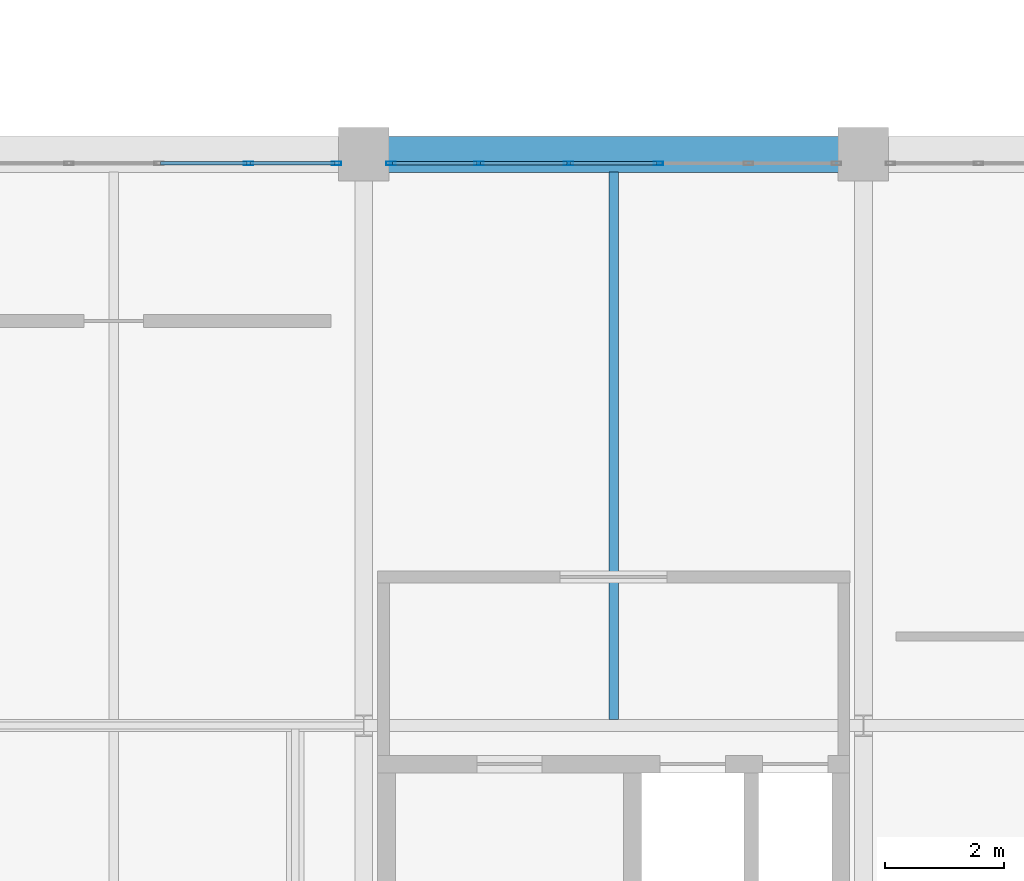
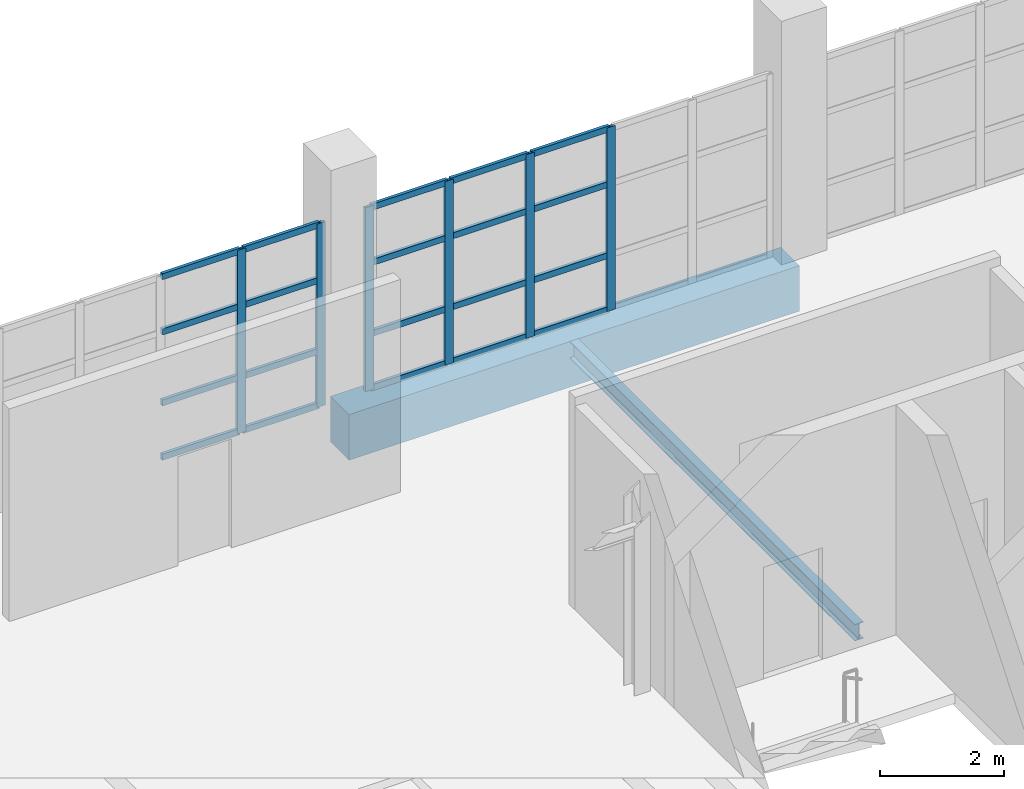
# One storey, part 15 of 29: 26 members, 2 beams, 2 elements without a shape of their own.
"""IFC4 building model written with IfcOpenShell, lengths in metres."""

from ifc_helpers import new_model, si_unit, direction, frame, origin, origin_2d, place, context, subcontext, project, spatial, rectangle, hollow_rectangle, i_section, extrude, material, material_profile, profile_set, type_object, element, aggregate, save


model = new_model("IFC4")

# Units and contexts
model_context = context("Model", 3, precision=1e-05, world=origin(), true_north=direction((0.0, 1.0)))
body_context = subcontext(model_context, "Body", "Model", "MODEL_VIEW")
ifc_project = project(units=[si_unit("LENGTHUNIT", "METRE"), si_unit("AREAUNIT", "SQUARE_METRE"), si_unit("VOLUMEUNIT", "CUBIC_METRE"), si_unit("PLANEANGLEUNIT", "RADIAN"), si_unit("MASSUNIT", "GRAM", prefix="KILO")], contexts=[model_context])

# Site, building, storey
site_placement = place(None, origin())
site = spatial("IfcSite", under=ifc_project, at=site_placement, CompositionType="ELEMENT")
building_placement = place(site_placement, origin())
building = spatial("IfcBuilding", under=site, at=building_placement, Name="Veltarok Museum of Natural Sciences", CompositionType="ELEMENT")
storey_placement = place(building_placement, frame((0.0, 0.0, 26.39990234375)))
storey = spatial("IfcBuildingStorey", under=building, at=storey_placement, Name="L05", CompositionType="ELEMENT", Elevation=26.39990234375)

# Curtain wall, members
ifc_material_1 = material(Name="Low-iron triple insulated glass", Category="glass")
curtain_wall_type = type_object("IfcCurtainWallType", Name="Curtain Wall System CW-V1N-L05-755x362 (V1 North Overlook L05 755x362cm)", PredefinedType="NOTDEFINED", material=ifc_material_1)
curtain_wall_1_placement = place(storey_placement, origin())
curtain_wall_1 = element("IfcCurtainWall", 1, at=curtain_wall_1_placement, inside=storey, type_object=curtain_wall_type, Name="Curtain Wall CW-V1N-L05-755x362 CW-0017", PredefinedType="NOTDEFINED")
ifc_material_2 = material(Name="Thermally broken anodised aluminium", Category="aluminium")
ifc_material_profile_1 = material_profile(ifc_material_2, hollow_rectangle(XDim=0.06005859375, YDim=0.1201171875, WallThickness=0.0048828125, at=origin_2d()), Name="CW TRANSOM 60x120x5")
ifc_profile_set_1 = profile_set([ifc_material_profile_1], Name="Thermally broken anodised aluminium")
member_type_1 = type_object("IfcMemberType", Name="Curtain Wall Horizontal Transom 60x120x5", PredefinedType="USERDEFINED", material=ifc_profile_set_1)
member_1_placement = place(storey_placement, frame((89.9150390625, 19.050048828125, 0.030029296875), z_axis=(-1.0, 0.0, 0.0), x_axis=(0.0, -1.0, 0.0)))
member_1 = element("IfcMember", 2, at=member_1_placement, type_object=member_type_1, Name="CW-V1N-L05-755x362 transom 1.1", ObjectType="TRANSOM", PredefinedType="USERDEFINED", context=body_context, shape_type="SweptSolid", body=[
    extrude(hollow_rectangle(XDim=0.06005859375, YDim=0.1201171875, WallThickness=0.0048828125, at=origin_2d()), origin(), (0.0, 0.0, 1.0), 1.419921875),
])
member_2_placement = place(storey_placement, frame((89.9150390625, 19.050048828125, 1.10009765625), z_axis=(-1.0, 0.0, 0.0), x_axis=(0.0, -1.0, 0.0)))
member_2 = element("IfcMember", 3, at=member_2_placement, type_object=member_type_1, Name="CW-V1N-L05-755x362 transom 1.2", ObjectType="TRANSOM", PredefinedType="USERDEFINED", context=body_context, shape_type="SweptSolid", body=[
    extrude(hollow_rectangle(XDim=0.06005859375, YDim=0.1201171875, WallThickness=0.0048828125, at=origin_2d()), origin(), (0.0, 0.0, 1.0), 1.419921875),
])
member_3_placement = place(storey_placement, frame((89.9150390625, 19.050048828125, 2.5), z_axis=(-1.0, 0.0, 0.0), x_axis=(0.0, -1.0, 0.0)))
member_3 = element("IfcMember", 4, at=member_3_placement, type_object=member_type_1, Name="CW-V1N-L05-755x362 transom 1.3", ObjectType="TRANSOM", PredefinedType="USERDEFINED", context=body_context, shape_type="SweptSolid", body=[
    extrude(hollow_rectangle(XDim=0.06005859375, YDim=0.1201171875, WallThickness=0.0048828125, at=origin_2d()), origin(), (0.0, 0.0, 1.0), 1.419921875),
])
member_4_placement = place(storey_placement, frame((89.9150390625, 19.050048828125, 3.590087890625), z_axis=(-1.0, 0.0, 0.0), x_axis=(0.0, -1.0, 0.0)))
member_4 = element("IfcMember", 5, at=member_4_placement, type_object=member_type_1, Name="CW-V1N-L05-755x362 transom 1.4", ObjectType="TRANSOM", PredefinedType="USERDEFINED", context=body_context, shape_type="SweptSolid", body=[
    extrude(hollow_rectangle(XDim=0.06005859375, YDim=0.1201171875, WallThickness=0.0048828125, at=origin_2d()), origin(), (0.0, 0.0, 1.0), 1.419921875),
])
member_5_placement = place(storey_placement, frame((88.43505859375, 19.050048828125, 0.030029296875), z_axis=(-1.0, 0.0, 0.0), x_axis=(0.0, -1.0, 0.0)))
member_5 = element("IfcMember", 6, at=member_5_placement, type_object=member_type_1, Name="CW-V1N-L05-755x362 transom 2.1", ObjectType="TRANSOM", PredefinedType="USERDEFINED", context=body_context, shape_type="SweptSolid", body=[
    extrude(hollow_rectangle(XDim=0.06005859375, YDim=0.1201171875, WallThickness=0.0048828125, at=origin_2d()), origin(), (0.0, 0.0, 1.0), 1.449951171875),
])
member_6_placement = place(storey_placement, frame((88.43505859375, 19.050048828125, 1.10009765625), z_axis=(-1.0, 0.0, 0.0), x_axis=(0.0, -1.0, 0.0)))
member_6 = element("IfcMember", 7, at=member_6_placement, type_object=member_type_1, Name="CW-V1N-L05-755x362 transom 2.2", ObjectType="TRANSOM", PredefinedType="USERDEFINED", context=body_context, shape_type="SweptSolid", body=[
    extrude(hollow_rectangle(XDim=0.06005859375, YDim=0.1201171875, WallThickness=0.0048828125, at=origin_2d()), origin(), (0.0, 0.0, 1.0), 1.449951171875),
])
member_7_placement = place(storey_placement, frame((88.43505859375, 19.050048828125, 2.5), z_axis=(-1.0, 0.0, 0.0), x_axis=(0.0, -1.0, 0.0)))
member_7 = element("IfcMember", 8, at=member_7_placement, type_object=member_type_1, Name="CW-V1N-L05-755x362 transom 2.3", ObjectType="TRANSOM", PredefinedType="USERDEFINED", context=body_context, shape_type="SweptSolid", body=[
    extrude(hollow_rectangle(XDim=0.06005859375, YDim=0.1201171875, WallThickness=0.0048828125, at=origin_2d()), origin(), (0.0, 0.0, 1.0), 1.449951171875),
])
member_8_placement = place(storey_placement, frame((88.43505859375, 19.050048828125, 3.590087890625), z_axis=(-1.0, 0.0, 0.0), x_axis=(0.0, -1.0, 0.0)))
member_8 = element("IfcMember", 9, at=member_8_placement, type_object=member_type_1, Name="CW-V1N-L05-755x362 transom 2.4", ObjectType="TRANSOM", PredefinedType="USERDEFINED", context=body_context, shape_type="SweptSolid", body=[
    extrude(hollow_rectangle(XDim=0.06005859375, YDim=0.1201171875, WallThickness=0.0048828125, at=origin_2d()), origin(), (0.0, 0.0, 1.0), 1.449951171875),
])

curtain_wall_2_placement = place(storey_placement, origin())
curtain_wall_2 = element("IfcCurtainWall", 10, at=curtain_wall_2_placement, inside=storey, type_object=curtain_wall_type, Name="Curtain Wall CW-V1N-L05-755x362 CW-0018", PredefinedType="NOTDEFINED")
member_9_placement = place(storey_placement, frame((95.324951171875, 19.050048828125, 0.030029296875), z_axis=(-1.0, 0.0, 0.0), x_axis=(0.0, -1.0, 0.0)))
member_9 = element("IfcMember", 11, at=member_9_placement, type_object=member_type_1, Name="CW-V1N-L05-755x362 transom 3.1", ObjectType="TRANSOM", PredefinedType="USERDEFINED", context=body_context, shape_type="SweptSolid", body=[
    extrude(hollow_rectangle(XDim=0.06005859375, YDim=0.1201171875, WallThickness=0.0048828125, at=origin_2d()), origin(), (0.0, 0.0, 1.0), 1.449951171875),
])
member_10_placement = place(storey_placement, frame((95.324951171875, 19.050048828125, 1.10009765625), z_axis=(-1.0, 0.0, 0.0), x_axis=(0.0, -1.0, 0.0)))
member_10 = element("IfcMember", 12, at=member_10_placement, type_object=member_type_1, Name="CW-V1N-L05-755x362 transom 3.2", ObjectType="TRANSOM", PredefinedType="USERDEFINED", context=body_context, shape_type="SweptSolid", body=[
    extrude(hollow_rectangle(XDim=0.06005859375, YDim=0.1201171875, WallThickness=0.0048828125, at=origin_2d()), origin(), (0.0, 0.0, 1.0), 1.449951171875),
])
member_11_placement = place(storey_placement, frame((95.324951171875, 19.050048828125, 2.5), z_axis=(-1.0, 0.0, 0.0), x_axis=(0.0, -1.0, 0.0)))
member_11 = element("IfcMember", 13, at=member_11_placement, type_object=member_type_1, Name="CW-V1N-L05-755x362 transom 3.3", ObjectType="TRANSOM", PredefinedType="USERDEFINED", context=body_context, shape_type="SweptSolid", body=[
    extrude(hollow_rectangle(XDim=0.06005859375, YDim=0.1201171875, WallThickness=0.0048828125, at=origin_2d()), origin(), (0.0, 0.0, 1.0), 1.449951171875),
])
member_12_placement = place(storey_placement, frame((95.324951171875, 19.050048828125, 3.590087890625), z_axis=(-1.0, 0.0, 0.0), x_axis=(0.0, -1.0, 0.0)))
member_12 = element("IfcMember", 14, at=member_12_placement, type_object=member_type_1, Name="CW-V1N-L05-755x362 transom 3.4", ObjectType="TRANSOM", PredefinedType="USERDEFINED", context=body_context, shape_type="SweptSolid", body=[
    extrude(hollow_rectangle(XDim=0.06005859375, YDim=0.1201171875, WallThickness=0.0048828125, at=origin_2d()), origin(), (0.0, 0.0, 1.0), 1.449951171875),
])
member_13_placement = place(storey_placement, frame((93.81494140625, 19.050048828125, 0.030029296875), z_axis=(-1.0, 0.0, 0.0), x_axis=(0.0, -1.0, 0.0)))
member_13 = element("IfcMember", 15, at=member_13_placement, type_object=member_type_1, Name="CW-V1N-L05-755x362 transom 4.1", ObjectType="TRANSOM", PredefinedType="USERDEFINED", context=body_context, shape_type="SweptSolid", body=[
    extrude(hollow_rectangle(XDim=0.06005859375, YDim=0.1201171875, WallThickness=0.0048828125, at=origin_2d()), origin(), (0.0, 0.0, 1.0), 1.449951171875),
])
member_14_placement = place(storey_placement, frame((93.81494140625, 19.050048828125, 1.10009765625), z_axis=(-1.0, 0.0, 0.0), x_axis=(0.0, -1.0, 0.0)))
member_14 = element("IfcMember", 16, at=member_14_placement, type_object=member_type_1, Name="CW-V1N-L05-755x362 transom 4.2", ObjectType="TRANSOM", PredefinedType="USERDEFINED", context=body_context, shape_type="SweptSolid", body=[
    extrude(hollow_rectangle(XDim=0.06005859375, YDim=0.1201171875, WallThickness=0.0048828125, at=origin_2d()), origin(), (0.0, 0.0, 1.0), 1.449951171875),
])
member_15_placement = place(storey_placement, frame((93.81494140625, 19.050048828125, 2.5), z_axis=(-1.0, 0.0, 0.0), x_axis=(0.0, -1.0, 0.0)))
member_15 = element("IfcMember", 17, at=member_15_placement, type_object=member_type_1, Name="CW-V1N-L05-755x362 transom 4.3", ObjectType="TRANSOM", PredefinedType="USERDEFINED", context=body_context, shape_type="SweptSolid", body=[
    extrude(hollow_rectangle(XDim=0.06005859375, YDim=0.1201171875, WallThickness=0.0048828125, at=origin_2d()), origin(), (0.0, 0.0, 1.0), 1.449951171875),
])
member_16_placement = place(storey_placement, frame((93.81494140625, 19.050048828125, 3.590087890625), z_axis=(-1.0, 0.0, 0.0), x_axis=(0.0, -1.0, 0.0)))
member_16 = element("IfcMember", 18, at=member_16_placement, type_object=member_type_1, Name="CW-V1N-L05-755x362 transom 4.4", ObjectType="TRANSOM", PredefinedType="USERDEFINED", context=body_context, shape_type="SweptSolid", body=[
    extrude(hollow_rectangle(XDim=0.06005859375, YDim=0.1201171875, WallThickness=0.0048828125, at=origin_2d()), origin(), (0.0, 0.0, 1.0), 1.449951171875),
])
member_17_placement = place(storey_placement, frame((92.304931640625, 19.050048828125, 0.030029296875), z_axis=(-1.0, 0.0, 0.0), x_axis=(0.0, -1.0, 0.0)))
member_17 = element("IfcMember", 19, at=member_17_placement, type_object=member_type_1, Name="CW-V1N-L05-755x362 transom 5.1", ObjectType="TRANSOM", PredefinedType="USERDEFINED", context=body_context, shape_type="SweptSolid", body=[
    extrude(hollow_rectangle(XDim=0.06005859375, YDim=0.1201171875, WallThickness=0.0048828125, at=origin_2d()), origin(), (0.0, 0.0, 1.0), 1.419921875),
])
member_18_placement = place(storey_placement, frame((92.304931640625, 19.050048828125, 1.10009765625), z_axis=(-1.0, 0.0, 0.0), x_axis=(0.0, -1.0, 0.0)))
member_18 = element("IfcMember", 20, at=member_18_placement, type_object=member_type_1, Name="CW-V1N-L05-755x362 transom 5.2", ObjectType="TRANSOM", PredefinedType="USERDEFINED", context=body_context, shape_type="SweptSolid", body=[
    extrude(hollow_rectangle(XDim=0.06005859375, YDim=0.1201171875, WallThickness=0.0048828125, at=origin_2d()), origin(), (0.0, 0.0, 1.0), 1.419921875),
])
member_19_placement = place(storey_placement, frame((92.304931640625, 19.050048828125, 2.5), z_axis=(-1.0, 0.0, 0.0), x_axis=(0.0, -1.0, 0.0)))
member_19 = element("IfcMember", 21, at=member_19_placement, type_object=member_type_1, Name="CW-V1N-L05-755x362 transom 5.3", ObjectType="TRANSOM", PredefinedType="USERDEFINED", context=body_context, shape_type="SweptSolid", body=[
    extrude(hollow_rectangle(XDim=0.06005859375, YDim=0.1201171875, WallThickness=0.0048828125, at=origin_2d()), origin(), (0.0, 0.0, 1.0), 1.419921875),
])
member_20_placement = place(storey_placement, frame((92.304931640625, 19.050048828125, 3.590087890625), z_axis=(-1.0, 0.0, 0.0), x_axis=(0.0, -1.0, 0.0)))
member_20 = element("IfcMember", 22, at=member_20_placement, type_object=member_type_1, Name="CW-V1N-L05-755x362 transom 5.4", ObjectType="TRANSOM", PredefinedType="USERDEFINED", context=body_context, shape_type="SweptSolid", body=[
    extrude(hollow_rectangle(XDim=0.06005859375, YDim=0.1201171875, WallThickness=0.0048828125, at=origin_2d()), origin(), (0.0, 0.0, 1.0), 1.419921875),
])

# Member
ifc_material_profile_2 = material_profile(ifc_material_2, hollow_rectangle(XDim=0.06005859375, YDim=0.159912109375, WallThickness=0.0048828125, at=origin_2d()), Name="CW MULLION 60x160x5")
ifc_profile_set_2 = profile_set([ifc_material_profile_2], Name="Thermally broken anodised aluminium")
member_type_2 = type_object("IfcMemberType", Name="Curtain Wall Vertical Mullion 60x160x5", PredefinedType="MULLION", material=ifc_profile_set_2)
member_21_placement = place(storey_placement, frame((89.945068359375, 19.050048828125, 0.0), z_axis=(0.0, 0.0, 1.0), x_axis=(0.0, -1.0, 0.0)))
member_21 = element("IfcMember", 23, at=member_21_placement, type_object=member_type_2, Name="CW-V1N-L05-755x362 mullion 1", PredefinedType="MULLION", context=body_context, shape_type="SweptSolid", body=[
    extrude(hollow_rectangle(XDim=0.06005859375, YDim=0.159912109375, WallThickness=0.0048828125, at=origin_2d()), origin(), (0.0, 0.0, 1.0), 3.6201171875),
])

member_22_placement = place(storey_placement, frame((88.465087890625, 19.050048828125, 0.0), z_axis=(0.0, 0.0, 1.0), x_axis=(0.0, -1.0, 0.0)))
member_22 = element("IfcMember", 24, at=member_22_placement, type_object=member_type_2, Name="CW-V1N-L05-755x362 mullion 2", PredefinedType="MULLION", context=body_context, shape_type="SweptSolid", body=[
    extrude(hollow_rectangle(XDim=0.06005859375, YDim=0.159912109375, WallThickness=0.0048828125, at=origin_2d()), origin(), (0.0, 0.0, 1.0), 3.6201171875),
])

aggregate(curtain_wall_1, [member_21, member_22, member_1, member_2, member_3, member_4, member_5, member_6, member_7, member_8])

member_23_placement = place(storey_placement, frame((95.35498046875, 19.050048828125, 0.0), z_axis=(0.0, 0.0, 1.0), x_axis=(0.0, -1.0, 0.0)))
member_23 = element("IfcMember", 25, at=member_23_placement, type_object=member_type_2, Name="CW-V1N-L05-755x362 mullion 3", PredefinedType="MULLION", context=body_context, shape_type="SweptSolid", body=[
    extrude(hollow_rectangle(XDim=0.06005859375, YDim=0.159912109375, WallThickness=0.0048828125, at=origin_2d()), origin(), (0.0, 0.0, 1.0), 3.6201171875),
])

member_24_placement = place(storey_placement, frame((93.844970703125, 19.050048828125, 0.0), z_axis=(0.0, 0.0, 1.0), x_axis=(0.0, -1.0, 0.0)))
member_24 = element("IfcMember", 26, at=member_24_placement, type_object=member_type_2, Name="CW-V1N-L05-755x362 mullion 4", PredefinedType="MULLION", context=body_context, shape_type="SweptSolid", body=[
    extrude(hollow_rectangle(XDim=0.06005859375, YDim=0.159912109375, WallThickness=0.0048828125, at=origin_2d()), origin(), (0.0, 0.0, 1.0), 3.6201171875),
])

member_25_placement = place(storey_placement, frame((92.3349609375, 19.050048828125, 0.0), z_axis=(0.0, 0.0, 1.0), x_axis=(0.0, -1.0, 0.0)))
member_25 = element("IfcMember", 27, at=member_25_placement, type_object=member_type_2, Name="CW-V1N-L05-755x362 mullion 5", PredefinedType="MULLION", context=body_context, shape_type="SweptSolid", body=[
    extrude(hollow_rectangle(XDim=0.06005859375, YDim=0.159912109375, WallThickness=0.0048828125, at=origin_2d()), origin(), (0.0, 0.0, 1.0), 3.6201171875),
])

member_26_placement = place(storey_placement, frame((90.85498046875, 19.050048828125, 0.0), z_axis=(0.0, 0.0, 1.0), x_axis=(0.0, -1.0, 0.0)))
member_26 = element("IfcMember", 28, at=member_26_placement, type_object=member_type_2, Name="CW-V1N-L05-755x362 mullion 6", PredefinedType="MULLION", context=body_context, shape_type="SweptSolid", body=[
    extrude(hollow_rectangle(XDim=0.06005859375, YDim=0.159912109375, WallThickness=0.0048828125, at=origin_2d()), origin(), (0.0, 0.0, 1.0), 3.6201171875),
])

aggregate(curtain_wall_2, [member_23, member_24, member_25, member_26, member_9, member_10, member_11, member_12, member_13, member_14, member_15, member_16, member_17, member_18, member_19, member_20])

# Beams
ifc_material_3 = material(Name="Concrete C40/50", Category="concrete")
ifc_material_profile_3 = material_profile(ifc_material_3, rectangle(XDim=0.60009765625, YDim=0.89990234375, at=origin_2d()), Name="RC 600x900")
ifc_profile_set_3 = profile_set([ifc_material_profile_3], Name="Concrete C40/50")
beam_type_1 = type_object("IfcBeamType", Name="Exposed Cabinet Perimeter Spandrel RC 600x900", PredefinedType="SPANDREL", material=ifc_profile_set_3)
beam_1_placement = place(storey_placement, frame((90.39990234375, 19.199951171875, -0.699951171875), z_axis=(1.0, 0.0, 0.0), x_axis=(0.0, 1.0, 0.0)))
element("IfcBeam", 29, at=beam_1_placement, inside=storey, type_object=beam_type_1, Name="Beam BM-SP01 L05 11-12/C", PredefinedType="SPANDREL", context=body_context, shape_type="SweptSolid", body=[
    extrude(rectangle(XDim=0.60009765625, YDim=0.89990234375, at=origin_2d()), origin(), (0.0, 0.0, 1.0), 8.400146484375),
])
ifc_material_4 = material(Name="Steel S355J2", Category="steel")
ifc_material_profile_4 = material_profile(ifc_material_4, i_section(OverallWidth=0.159912109375, OverallDepth=0.330078125, WebThickness=0.007568359375, FlangeThickness=0.011474609375, FilletRadius=0.01806640625, at=origin_2d()), Name="IPE 330")
ifc_profile_set_4 = profile_set([ifc_material_profile_4], Name="Steel S355J2")
beam_type_2 = type_object("IfcBeamType", Name="Medium-Bay Composite Joist IPE 330", PredefinedType="JOIST", material=ifc_profile_set_4)
beam_2_placement = place(storey_placement, frame((94.60009765625, 9.697998046875, -0.414794921875), z_axis=(0.0, 1.0, 0.0), x_axis=(-1.0, 0.0, 0.0)))
element("IfcBeam", 30, at=beam_2_placement, inside=storey, type_object=beam_type_2, Name="Secondary Joist BM-J02 L05 11-12/B-C.1", PredefinedType="JOIST", context=body_context, shape_type="SweptSolid", body=[
    extrude(i_section(OverallWidth=0.159912109375, OverallDepth=0.330078125, WebThickness=0.007568359375, FlangeThickness=0.011474609375, FilletRadius=0.01806640625, at=origin_2d()), origin(), (0.0, 0.0, 1.0), 9.2041015625),
])

save(model, "model.ifc")
